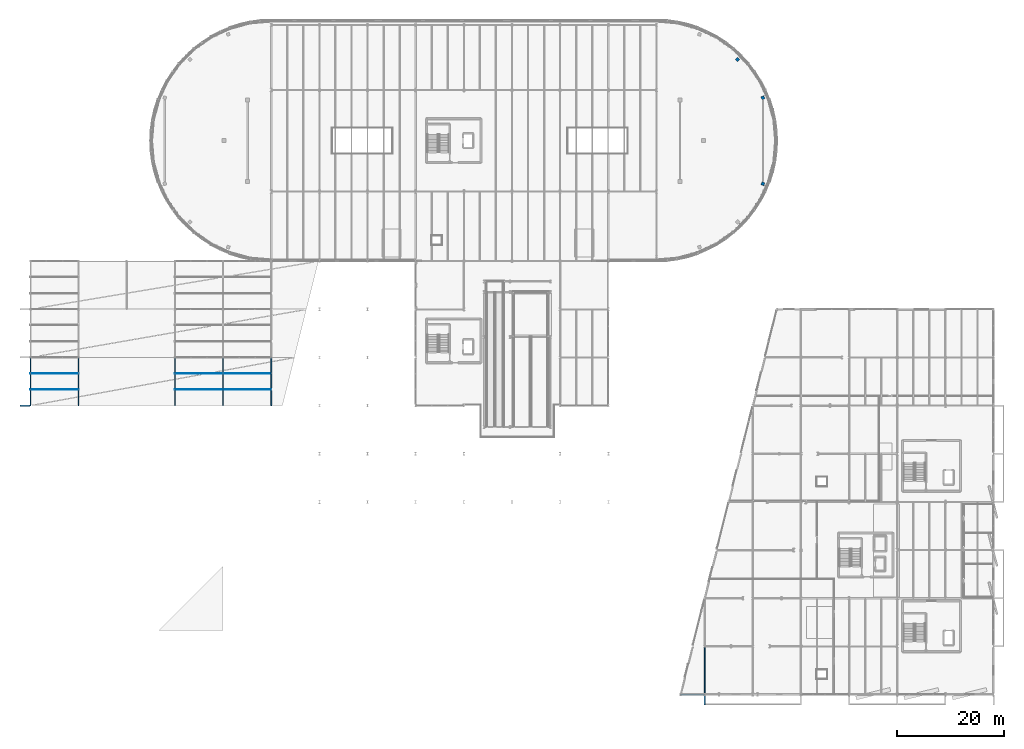
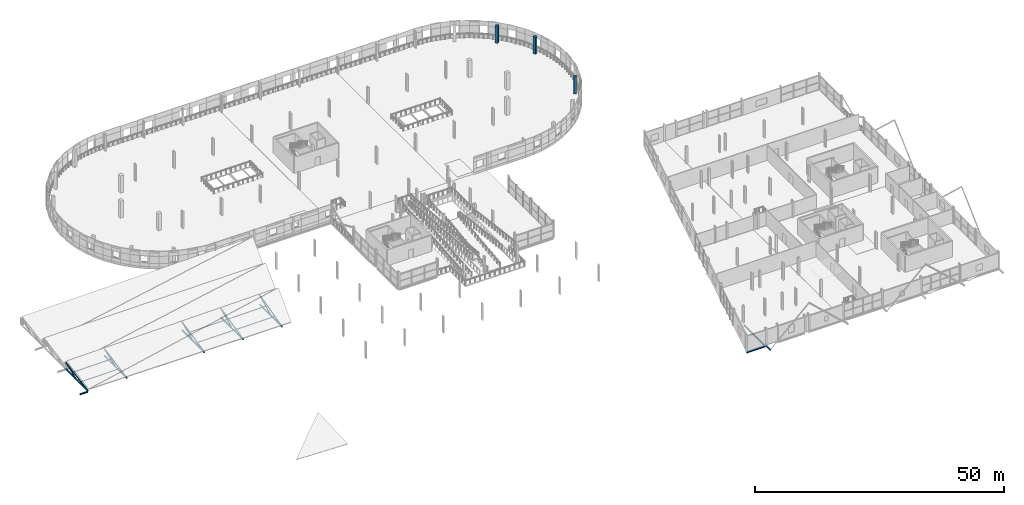
# One storey, part 16 of 103: 21 members, 4 beams, 3 columns.
"""IFC4 building model written with IfcOpenShell, lengths in metres."""

from ifc_helpers import new_model, si_unit, direction, frame, origin, origin_2d, place, context, subcontext, project, spatial, rectangle, hollow_rectangle, hollow_circle, i_section, extrude, material, material_profile, profile_set, type_object, element, save


model = new_model("IFC4")

# Units and contexts
model_context = context("Model", 3, precision=1e-05, world=origin(), true_north=direction((0.0, 1.0)))
body_context = subcontext(model_context, "Body", "Model", "MODEL_VIEW")
ifc_project = project(units=[si_unit("LENGTHUNIT", "METRE"), si_unit("AREAUNIT", "SQUARE_METRE"), si_unit("VOLUMEUNIT", "CUBIC_METRE"), si_unit("PLANEANGLEUNIT", "RADIAN"), si_unit("MASSUNIT", "GRAM", prefix="KILO")], contexts=[model_context])

# Site, building, storey
site_placement = place(None, origin())
site = spatial("IfcSite", under=ifc_project, at=site_placement, CompositionType="ELEMENT")
building_placement = place(site_placement, origin())
building = spatial("IfcBuilding", under=site, at=building_placement, Name="Deido Ridge Mobility Hub", CompositionType="ELEMENT")
storey_placement = place(building_placement, frame((0.0, 0.0, 12.60009765625)))
storey = spatial("IfcBuildingStorey", under=building, at=storey_placement, Name="L03", CompositionType="ELEMENT", Elevation=12.60009765625)

# Columns
ifc_material_1 = material(Name="Concrete C40/50", Category="concrete")
ifc_material_profile_1 = material_profile(ifc_material_1, rectangle(XDim=0.60009765625, YDim=0.60009765625, at=origin_2d()), Name="RC COL 600x600")
ifc_profile_set_1 = profile_set([ifc_material_profile_1], Name="Concrete C40/50")
column_type = type_object("IfcColumnType", Name="COL-RC600", PredefinedType="COLUMN", material=ifc_profile_set_1)
for number, where, z_axis, x_axis, name in (
    (1, (136.88818359375, 95.464599609375, 0.0), (0.0, 0.0, 1.0), (0.927183854567, -0.374606593416, 0.0), "Structural column RC2"),
    (2, (136.88818359375, 111.535400390625, 0.0), (0.0, 0.0, 1.0), (0.927183854567, 0.374606593416, 0.0), "Structural column RC2"),
    (3, (132.16748046875, 118.66748046875, 0.0), (0.0, 0.0, 1.0), (0.707106781187, 0.707106781187, 0.0), "Structural column RC2"),
):
    element("IfcColumn", number, at=place(storey_placement, frame(where, z_axis=z_axis, x_axis=x_axis)), inside=storey, type_object=column_type, Name=name, PredefinedType="COLUMN", context=body_context, shape_type="SweptSolid", body=[
        extrude(rectangle(XDim=0.60009765625, YDim=0.60009765625, at=origin_2d()), origin(), (0.0, 0.0, 1.0), 4.199951171875),
    ])

# Beam
ifc_material_2 = material(Name="Steel S355J2 EN 10025-2", Category="steel")
ifc_material_profile_2 = material_profile(ifc_material_2, i_section(OverallWidth=0.18994140625, OverallDepth=0.449951171875, WebThickness=0.009521484375, FlangeThickness=0.0146484375, FilletRadius=0.02099609375, at=origin_2d()), Name="IPE 450")
ifc_profile_set_2 = profile_set([ifc_material_profile_2], Name="Steel S355J2 EN 10025-2")
beam_type_1 = type_object("IfcBeamType", Name="BM-IPE450", PredefinedType="BEAM", material=ifc_profile_set_2)
beam_1_placement = place(storey_placement, frame((126.0, 0.196533203125, -0.489990234375), z_axis=(0.0, 1.0, 0.0), x_axis=(-1.0, 0.0, 0.0)))
element("IfcBeam", 4, at=beam_1_placement, inside=storey, type_object=beam_type_1, Name="Floor beam B4", PredefinedType="BEAM", context=body_context, shape_type="SweptSolid", body=[
    extrude(i_section(OverallWidth=0.18994140625, OverallDepth=0.449951171875, WebThickness=0.009521484375, FlangeThickness=0.0146484375, FilletRadius=0.02099609375, at=origin_2d()), origin(), (0.0, 0.0, 1.0), 8.60693359375),
])

# Members
ifc_material_3 = material(Name="Steel S355J2H EN 10210-1", Category="steel")
ifc_material_profile_3 = material_profile(ifc_material_3, hollow_rectangle(XDim=0.199951171875, YDim=0.300048828125, WallThickness=0.012451171875, at=origin_2d()), Name="RHS 300x200x12.5")
ifc_profile_set_3 = profile_set([ifc_material_profile_3], Name="Steel S355J2H EN 10210-1")
member_type_1 = type_object("IfcMemberType", Name="MEM-CHD-RHS300", PredefinedType="CHORD", material=ifc_profile_set_3)
for number, where, z_axis, x_axis, name in (
    (5, (0.0, 54.0, 0.0), (0.0, 1.0, 0.0), (-1.0, 0.0, 0.0), "Sawtooth bottom chord CH1"),
    (6, (9.0, 54.0, 0.0), (0.0, 1.0, 0.0), (-1.0, 0.0, 0.0), "Sawtooth bottom chord CH1"),
    (7, (27.0, 54.0, 0.0), (0.0, 1.0, 0.0), (-1.0, 0.0, 0.0), "Sawtooth bottom chord CH1"),
    (8, (36.0, 54.0, 0.0), (0.0, 1.0, 0.0), (-1.0, 0.0, 0.0), "Sawtooth bottom chord CH1"),
    (9, (45.0, 54.0, 0.0), (0.0, 1.0, 0.0), (-1.0, 0.0, 0.0), "Sawtooth bottom chord CH1"),
):
    element("IfcMember", number, at=place(storey_placement, frame(where, z_axis=z_axis, x_axis=x_axis)), inside=storey, type_object=member_type_1, Name=name, PredefinedType="CHORD", context=body_context, shape_type="SweptSolid", body=[
        extrude(hollow_rectangle(XDim=0.199951171875, YDim=0.300048828125, WallThickness=0.012451171875, at=origin_2d()), origin(), (0.0, 0.0, 1.0), 9.0),
    ])
ifc_material_profile_4 = material_profile(ifc_material_3, hollow_rectangle(XDim=0.10009765625, YDim=0.199951171875, WallThickness=0.008056640625, at=origin_2d()), Name="RHS 200x100x8")
ifc_profile_set_4 = profile_set([ifc_material_profile_4], Name="Steel S355J2H EN 10210-1")
member_type_2 = type_object("IfcMemberType", Name="MEM-PUR-RHS200", PredefinedType="PURLIN", material=ifc_profile_set_4)
for number, where, z_axis, x_axis, name in (
    (10, (0.0, 56.969970703125, 0.458251953125), (0.999982834304, 0.0, 0.00585927442), (0.0, 1.0, 0.0), "Sawtooth roof purlin PR1"),
    (11, (27.0, 56.969970703125, 0.61669921875), (0.999982834304, 0.0, 0.00585927442), (0.0, 1.0, 0.0), "Sawtooth roof purlin PR1"),
    (12, (36.0, 56.969970703125, 0.66943359375), (0.999982674999, 0.0, 0.005886399752), (0.0, 1.0, 0.0), "Sawtooth roof purlin PR1"),
):
    element("IfcMember", number, at=place(storey_placement, frame(where, z_axis=z_axis, x_axis=x_axis)), inside=storey, type_object=member_type_2, Name=name, PredefinedType="PURLIN", context=body_context, shape_type="SweptSolid", body=[
        extrude(hollow_rectangle(XDim=0.10009765625, YDim=0.199951171875, WallThickness=0.008056640625, at=origin_2d()), origin(), (0.0, 0.0, 1.0), 9.000244140625),
    ])
for number, where, z_axis, x_axis, name in (
    (13, (0.0, 60.030029296875, 0.96142578125), (0.999929099722, 0.0, 0.011907792827), (0.0, 1.0, 0.0), "Sawtooth roof purlin PR1"),
    (14, (27.0, 60.030029296875, 1.283203125), (0.999929099722, 0.0, 0.011907792827), (0.0, 1.0, 0.0), "Sawtooth roof purlin PR1"),
    (15, (36.0, 60.030029296875, 1.390380859375), (0.999929099722, 0.0, 0.011907792827), (0.0, 1.0, 0.0), "Sawtooth roof purlin PR1"),
):
    element("IfcMember", number, at=place(storey_placement, frame(where, z_axis=z_axis, x_axis=x_axis)), inside=storey, type_object=member_type_2, Name=name, PredefinedType="PURLIN", context=body_context, shape_type="SweptSolid", body=[
        extrude(hollow_rectangle(XDim=0.10009765625, YDim=0.199951171875, WallThickness=0.008056640625, at=origin_2d()), origin(), (0.0, 0.0, 1.0), 9.000732421875),
    ])
ifc_material_profile_5 = material_profile(ifc_material_3, hollow_rectangle(XDim=0.14990234375, YDim=0.25, WallThickness=0.010009765625, at=origin_2d()), Name="RHS 250x150x10")
ifc_profile_set_5 = profile_set([ifc_material_profile_5], Name="Steel S355J2H EN 10210-1")
member_type_3 = type_object("IfcMemberType", Name="MEM-RAF-RHS250", PredefinedType="RAFTER", material=ifc_profile_set_5)
member_1_placement = place(storey_placement, frame((0.0, 54.0, 0.0498046875), z_axis=(0.0, 0.98674754395, 0.162263010293), x_axis=(-1.0, 0.0, 0.0)))
element("IfcMember", 16, at=member_1_placement, inside=storey, type_object=member_type_3, Name="Sawtooth sloped rafter RF1", PredefinedType="RAFTER", context=body_context, shape_type="SweptSolid", body=[
    extrude(hollow_rectangle(XDim=0.14990234375, YDim=0.25, WallThickness=0.010009765625, at=origin_2d()), origin(), (0.0, 0.0, 1.0), 9.120849609375),
])
member_2_placement = place(storey_placement, frame((9.0, 54.0, 0.0498046875), z_axis=(0.0, 0.983797239891, 0.179284664106), x_axis=(-1.0, 0.0, 0.0)))
element("IfcMember", 17, at=member_2_placement, inside=storey, type_object=member_type_3, Name="Sawtooth sloped rafter RF1", PredefinedType="RAFTER", context=body_context, shape_type="SweptSolid", body=[
    extrude(hollow_rectangle(XDim=0.14990234375, YDim=0.25, WallThickness=0.010009765625, at=origin_2d()), origin(), (0.0, 0.0, 1.0), 9.148193359375),
])
member_3_placement = place(storey_placement, frame((27.0, 54.0, 0.0498046875), z_axis=(0.0, 0.977093280682, 0.212811467844), x_axis=(-1.0, 0.0, 0.0)))
element("IfcMember", 18, at=member_3_placement, inside=storey, type_object=member_type_3, Name="Sawtooth sloped rafter RF1", PredefinedType="RAFTER", context=body_context, shape_type="SweptSolid", body=[
    extrude(hollow_rectangle(XDim=0.14990234375, YDim=0.25, WallThickness=0.010009765625, at=origin_2d()), origin(), (0.0, 0.0, 1.0), 9.2109375),
])
member_4_placement = place(storey_placement, frame((36.0, 54.0, 0.0498046875), z_axis=(0.0, 0.973357574891, 0.229292458234), x_axis=(-1.0, 0.0, 0.0)))
element("IfcMember", 19, at=member_4_placement, inside=storey, type_object=member_type_3, Name="Sawtooth sloped rafter RF1", PredefinedType="RAFTER", context=body_context, shape_type="SweptSolid", body=[
    extrude(hollow_rectangle(XDim=0.14990234375, YDim=0.25, WallThickness=0.010009765625, at=origin_2d()), origin(), (0.0, 0.0, 1.0), 9.246337890625),
])
member_5_placement = place(storey_placement, frame((45.0, 54.0, 0.0498046875), z_axis=(0.0, 0.969376686187, 0.245578582691), x_axis=(-1.0, 0.0, 0.0)))
element("IfcMember", 20, at=member_5_placement, inside=storey, type_object=member_type_3, Name="Sawtooth sloped rafter RF1", PredefinedType="RAFTER", context=body_context, shape_type="SweptSolid", body=[
    extrude(hollow_rectangle(XDim=0.14990234375, YDim=0.25, WallThickness=0.010009765625, at=origin_2d()), origin(), (0.0, 0.0, 1.0), 9.284423828125),
])
ifc_material_profile_6 = material_profile(ifc_material_3, hollow_circle(Radius=0.06982421875, WallThickness=0.00634765625, at=origin_2d()), Name="CHS 139.7x6.3")
ifc_profile_set_6 = profile_set([ifc_material_profile_6], Name="Steel S355J2H EN 10210-1")
member_type_4 = type_object("IfcMemberType", Name="MEM-STR-CHS140", PredefinedType="STRUT", material=ifc_profile_set_6)
member_6_placement = place(storey_placement, frame((0.0, 58.5, 0.0), z_axis=(0.0, 0.946786520256, 0.321862214406), x_axis=(-1.0, 0.0, 0.0)))
element("IfcMember", 21, at=member_6_placement, inside=storey, type_object=member_type_4, Name="Sawtooth web strut SR2", PredefinedType="STRUT", context=body_context, shape_type="SweptSolid", body=[
    extrude(hollow_circle(Radius=0.06982421875, WallThickness=0.00634765625, at=origin_2d()), origin(), (0.0, 0.0, 1.0), 4.7529296875),
])
member_7_placement = place(storey_placement, frame((9.0, 58.5, 0.0), z_axis=(0.0, 0.936162090723, 0.351568684461), x_axis=(-1.0, 0.0, 0.0)))
element("IfcMember", 22, at=member_7_placement, inside=storey, type_object=member_type_4, Name="Sawtooth web strut SR2", PredefinedType="STRUT", context=body_context, shape_type="SweptSolid", body=[
    extrude(hollow_circle(Radius=0.06982421875, WallThickness=0.00634765625, at=origin_2d()), origin(), (0.0, 0.0, 1.0), 4.806884765625),
])
member_8_placement = place(storey_placement, frame((27.0, 58.5, 0.0), z_axis=(0.0, 0.913056203358, 0.407833752292), x_axis=(-1.0, 0.0, 0.0)))
element("IfcMember", 23, at=member_8_placement, inside=storey, type_object=member_type_4, Name="Sawtooth web strut SR2", PredefinedType="STRUT", context=body_context, shape_type="SweptSolid", body=[
    extrude(hollow_circle(Radius=0.06982421875, WallThickness=0.00634765625, at=origin_2d()), origin(), (0.0, 0.0, 1.0), 4.928466796875),
])
member_9_placement = place(storey_placement, frame((36.0, 58.5, 0.0), z_axis=(0.0, 0.900746831583, 0.43434450082), x_axis=(-1.0, 0.0, 0.0)))
element("IfcMember", 24, at=member_9_placement, inside=storey, type_object=member_type_4, Name="Sawtooth web strut SR2", PredefinedType="STRUT", context=body_context, shape_type="SweptSolid", body=[
    extrude(hollow_circle(Radius=0.06982421875, WallThickness=0.00634765625, at=origin_2d()), origin(), (0.0, 0.0, 1.0), 4.995849609375),
])
member_10_placement = place(storey_placement, frame((45.0, 58.5, 0.0), z_axis=(0.0, 0.888036563744, 0.459772836795), x_axis=(-1.0, 0.0, 0.0)))
element("IfcMember", 25, at=member_10_placement, inside=storey, type_object=member_type_4, Name="Sawtooth web strut SR2", PredefinedType="STRUT", context=body_context, shape_type="SweptSolid", body=[
    extrude(hollow_circle(Radius=0.06982421875, WallThickness=0.00634765625, at=origin_2d()), origin(), (0.0, 0.0, 1.0), 5.0673828125),
])

# Beams
ifc_material_profile_7 = material_profile(ifc_material_2, i_section(OverallWidth=0.280029296875, OverallDepth=0.27001953125, WebThickness=0.008056640625, FlangeThickness=0.012939453125, FilletRadius=0.02392578125, at=origin_2d()), Name="HEA 280")
ifc_profile_set_7 = profile_set([ifc_material_profile_7], Name="Steel S355J2 EN 10025-2")
beam_type_2 = type_object("IfcBeamType", Name="SPD-HEA280", PredefinedType="SPANDREL", material=ifc_profile_set_7)
beam_2_placement = place(storey_placement, frame((121.507080078125, 0.0, -0.400146484375), z_axis=(1.0, 0.0, 0.0), x_axis=(0.0, 1.0, 0.0)))
element("IfcBeam", 26, at=beam_2_placement, inside=storey, type_object=beam_type_2, Name="Floor beam SP2", PredefinedType="SPANDREL", context=body_context, shape_type="SweptSolid", body=[
    extrude(i_section(OverallWidth=0.280029296875, OverallDepth=0.27001953125, WebThickness=0.008056640625, FlangeThickness=0.012939453125, FilletRadius=0.02392578125, at=origin_2d()), origin(), (0.0, 0.0, 1.0), 4.484130859375),
])
ifc_material_profile_8 = material_profile(ifc_material_2, i_section(OverallWidth=0.300048828125, OverallDepth=0.300048828125, WebThickness=0.010986328125, FlangeThickness=0.01904296875, FilletRadius=0.027099609375, at=origin_2d()), Name="HEB 300")
ifc_profile_set_8 = profile_set([ifc_material_profile_8], Name="Steel S355J2 EN 10025-2")
beam_type_3 = type_object("IfcBeamType", Name="SPD-HEB300", PredefinedType="SPANDREL", material=ifc_profile_set_8)
for number, where, z_axis, x_axis, name in (
    (27, (-0.050048828125, 54.0, -0.150146484375), (-1.0, 0.0, 0.0), (0.0, -1.0, 0.0), "Exoskeleton outrigger beam SP1"),
    (28, (126.0, -0.050048828125, -0.150146484375), (0.0, -1.0, 0.0), (1.0, 0.0, 0.0), "Exoskeleton outrigger beam SP1"),
):
    element("IfcBeam", number, at=place(storey_placement, frame(where, z_axis=z_axis, x_axis=x_axis)), inside=storey, type_object=beam_type_3, Name=name, PredefinedType="SPANDREL", context=body_context, shape_type="SweptSolid", body=[
        extrude(i_section(OverallWidth=0.300048828125, OverallDepth=0.300048828125, WebThickness=0.010986328125, FlangeThickness=0.01904296875, FilletRadius=0.027099609375, at=origin_2d()), origin(), (0.0, 0.0, 1.0), 1.89990234375),
    ])

save(model, "model.ifc")
